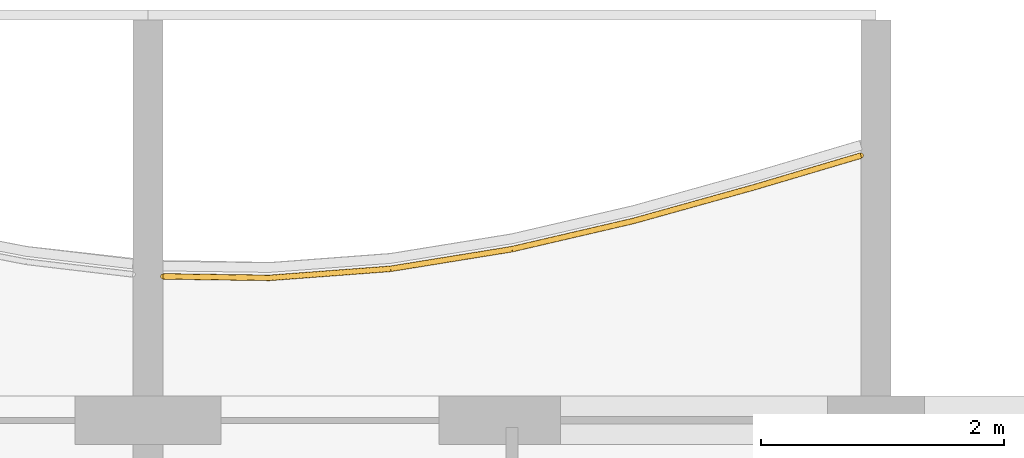
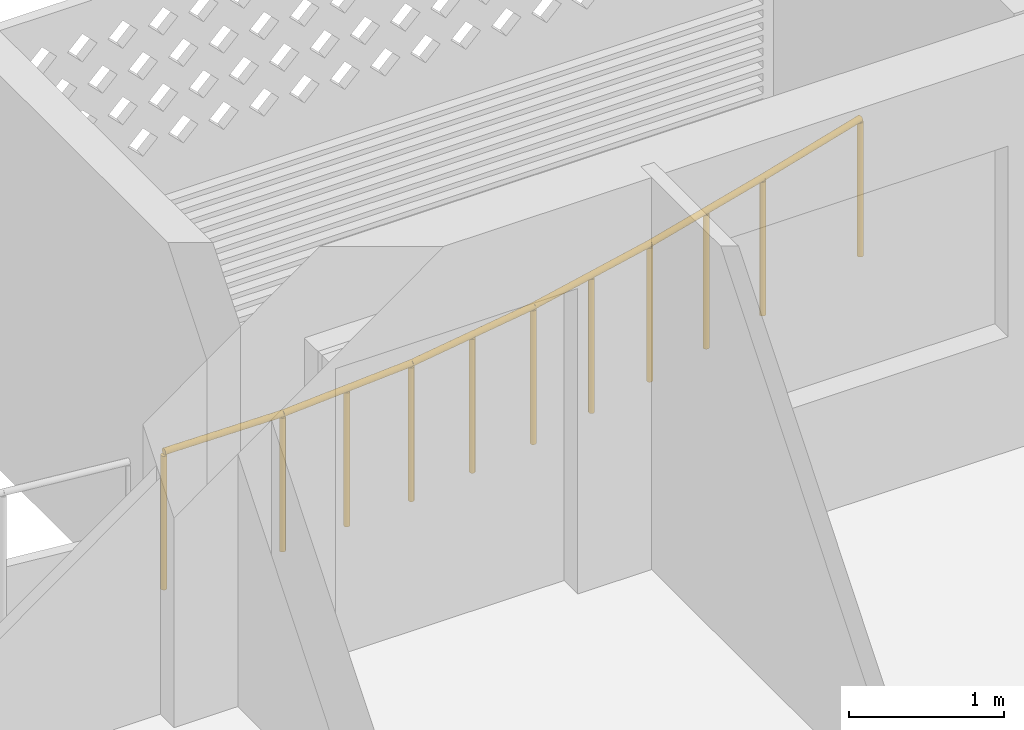
# One storey, part 22 of 27: 1 railing.
"""IFC4 building model written with IfcOpenShell, lengths in metres."""

from ifc_helpers import new_model, si_unit, direction, frame, origin, origin_2d, place, context, subcontext, project, spatial, circle, extrude, material, type_object, element, save


model = new_model("IFC4")

# Units and contexts
model_context = context("Model", 3, precision=1e-05, world=origin(), true_north=direction((0.0, 1.0)))
body_context = subcontext(model_context, "Body", "Model", "MODEL_VIEW")
ifc_project = project(units=[si_unit("LENGTHUNIT", "METRE"), si_unit("AREAUNIT", "SQUARE_METRE"), si_unit("VOLUMEUNIT", "CUBIC_METRE"), si_unit("PLANEANGLEUNIT", "RADIAN"), si_unit("MASSUNIT", "GRAM", prefix="KILO")], contexts=[model_context])

# Site, building, storey
site_placement = place(None, origin())
site = spatial("IfcSite", under=ifc_project, at=site_placement, CompositionType="ELEMENT")
building_placement = place(site_placement, origin())
building = spatial("IfcBuilding", under=site, at=building_placement, Name="Poui Terraces", CompositionType="ELEMENT")
storey_placement = place(building_placement, frame((0.0, 0.0, 254.39990234375)))
storey = spatial("IfcBuildingStorey", under=building, at=storey_placement, Name="L71", CompositionType="ELEMENT", Elevation=254.39990234375)

# Railing
ifc_material = material(Name="Painted steel fretwork", Category="steel")
railing_type = type_object("IfcRailingType", Name="BALCONY GUARD 1100", PredefinedType="GUARDRAIL", material=ifc_material)
railing_placement = place(storey_placement, frame((54.125, 42.38623046875, 0.0)))
element("IfcRailing", 1, at=railing_placement, inside=storey, type_object=railing_type, Name="BALCONY GUARD", PredefinedType="GUARDRAIL", context=body_context, shape_type="SweptSolid", body=[
    extrude(circle(Radius=0.02392578125, at=origin_2d()), frame((0.0, 0.0, 1.076171875), z_axis=(0.999902700497, -0.013949535442, 0.0), x_axis=(0.013949535442, 0.999902700497, 0.0)), (0.0, 0.0, 1.0), 0.875),
    extrude(circle(Radius=0.02392578125, at=origin_2d()), frame((0.875, -0.01220703125, 1.076171875), z_axis=(0.997202940152, 0.074741528962, 0.0), x_axis=(-0.074741528962, 0.997202940152, 0.0)), (0.0, 0.0, 1.0), 1.002685546875),
    extrude(circle(Radius=0.02392578125, at=origin_2d()), frame((1.875, 0.062744140625, 1.076171875), z_axis=(0.987151750337, 0.159785549432, 0.0), x_axis=(-0.159785549432, 0.987151750337, 0.0)), (0.0, 0.0, 1.0), 1.012939453125),
    extrude(circle(Radius=0.02392578125, at=origin_2d()), frame((2.875, 0.224609375, 1.076171875), z_axis=(0.974037301865, 0.226387576019, 0.0), x_axis=(-0.226387576019, 0.974037301865, 0.0)), (0.0, 0.0, 1.0), 1.026611328125),
    extrude(circle(Radius=0.02392578125, at=origin_2d()), frame((3.875, 0.45703125, 1.076171875), z_axis=(0.963200548895, 0.268783746921, 0.0), x_axis=(-0.268783746921, 0.963200548895, 0.0)), (0.0, 0.0, 1.0), 1.0380859375),
    extrude(circle(Radius=0.02392578125, at=origin_2d()), frame((4.875, 0.736083984375, 1.076171875), z_axis=(0.95871981657, 0.284352445595, 0.0), x_axis=(-0.284352445595, 0.95871981657, 0.0)), (0.0, 0.0, 1.0), 0.91259765625),
    extrude(circle(Radius=0.02099609375, at=origin_2d()), origin(), (0.0, 0.0, 1.0), 1.052001953125),
    extrude(circle(Radius=0.02099609375, at=origin_2d()), frame((0.875, -0.01220703125, 0.0)), (0.0, 0.0, 1.0), 1.052001953125),
    extrude(circle(Radius=0.02099609375, at=origin_2d()), frame((1.375, 0.025390625, 0.0)), (0.0, 0.0, 1.0), 1.052001953125),
    extrude(circle(Radius=0.02099609375, at=origin_2d()), frame((1.875, 0.062744140625, 0.0)), (0.0, 0.0, 1.0), 1.052001953125),
    extrude(circle(Radius=0.02099609375, at=origin_2d()), frame((2.375, 0.1435546875, 0.0)), (0.0, 0.0, 1.0), 1.052001953125),
    extrude(circle(Radius=0.02099609375, at=origin_2d()), frame((2.875, 0.224609375, 0.0)), (0.0, 0.0, 1.0), 1.052001953125),
    extrude(circle(Radius=0.02099609375, at=origin_2d()), frame((3.375, 0.3408203125, 0.0)), (0.0, 0.0, 1.0), 1.052001953125),
    extrude(circle(Radius=0.02099609375, at=origin_2d()), frame((3.875, 0.45703125, 0.0)), (0.0, 0.0, 1.0), 1.052001953125),
    extrude(circle(Radius=0.02099609375, at=origin_2d()), frame((4.375, 0.5966796875, 0.0)), (0.0, 0.0, 1.0), 1.052001953125),
    extrude(circle(Radius=0.02099609375, at=origin_2d()), frame((4.875, 0.736083984375, 0.0)), (0.0, 0.0, 1.0), 1.052001953125),
    extrude(circle(Radius=0.02099609375, at=origin_2d()), frame((5.75, 0.99560546875, 0.0)), (0.0, 0.0, 1.0), 1.052001953125),
])

save(model, "model.ifc")
